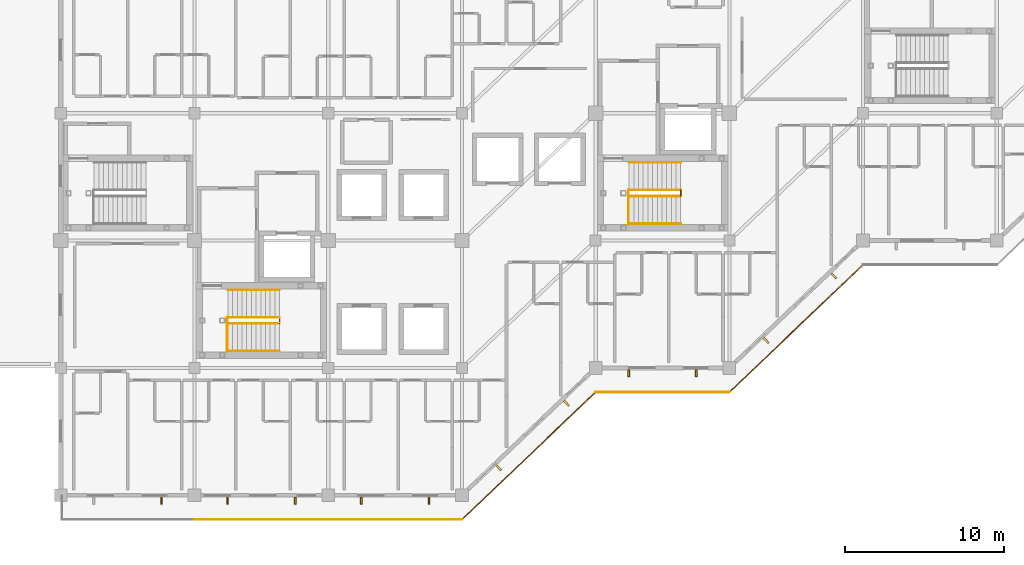
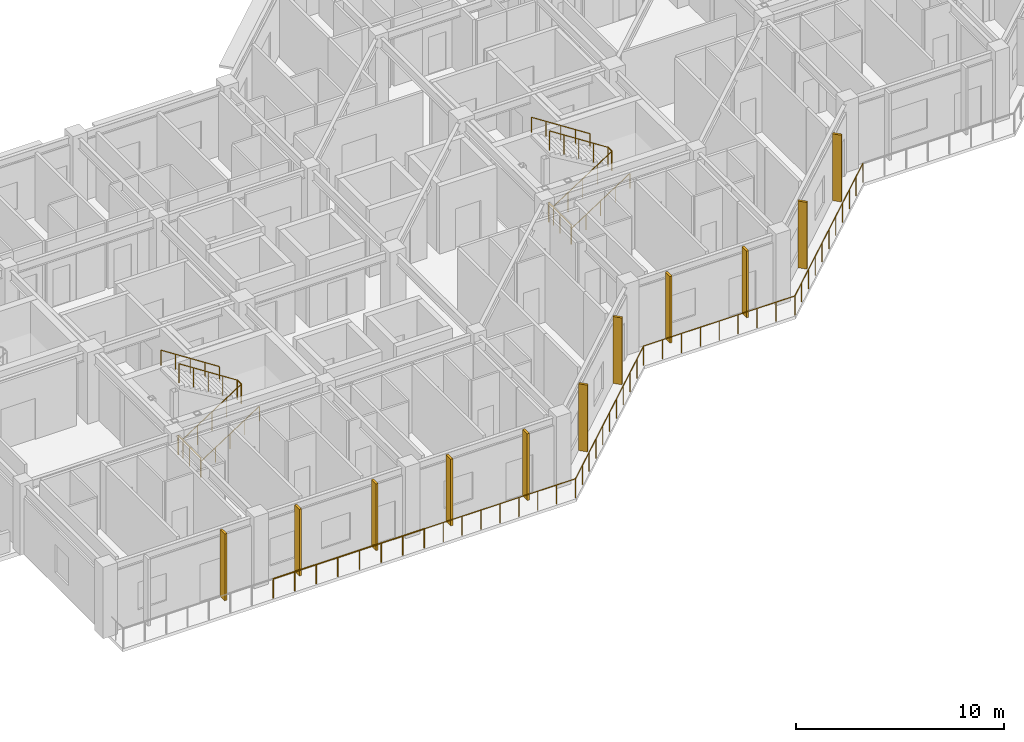
# One storey, part 20 of 22: 17 railings, 11 shading devices.
"""IFC4 building model written with IfcOpenShell, lengths in metres."""

from ifc_helpers import new_model, si_unit, direction, frame, origin, origin_2d, place, context, subcontext, project, spatial, rectangle, circle, extrude, material, layer, layer_set, type_object, element, save


model = new_model("IFC4")

# Units and contexts
model_context = context("Model", 3, precision=1e-05, world=origin(), true_north=direction((0.0, 1.0)))
body_context = subcontext(model_context, "Body", "Model", "MODEL_VIEW")
ifc_project = project(units=[si_unit("LENGTHUNIT", "METRE"), si_unit("AREAUNIT", "SQUARE_METRE"), si_unit("VOLUMEUNIT", "CUBIC_METRE"), si_unit("PLANEANGLEUNIT", "RADIAN"), si_unit("MASSUNIT", "GRAM", prefix="KILO")], contexts=[model_context])

# Site, building, storey
site_placement = place(None, origin())
site = spatial("IfcSite", under=ifc_project, at=site_placement, CompositionType="ELEMENT")
building_placement = place(site_placement, origin())
building = spatial("IfcBuilding", under=site, at=building_placement, Name="Naruveol Harbour Congress Hotel", CompositionType="ELEMENT")
storey_placement = place(building_placement, frame((0.0, 0.0, 21.0)))
storey = spatial("IfcBuildingStorey", under=building, at=storey_placement, Name="L04", CompositionType="ELEMENT", Elevation=21.0)

# Railings
ifc_material_1 = material(Name="Tempered Laminated Safety Glass & Stainless Steel", Category="steel")
ifc_layer_1 = layer(ifc_material_1, 0.06005859375)
ifc_layer_set_1 = layer_set([ifc_layer_1], Name="Tempered Laminated Safety Glass & Stainless Steel")
railing_type_1 = type_object("IfcRailingType", Name="LAMINATED GLASS TERRACE BALUSTRADE 1150", PredefinedType="BALUSTRADE", material=ifc_layer_set_1)
railing_1_placement = place(storey_placement, frame((126.0, -1.52001953125, 0.0)))
element("IfcRailing", 1, at=railing_1_placement, inside=storey, type_object=railing_type_1, Name="L04 Harbour balcony balustrade #70", PredefinedType="BALUSTRADE", context=body_context, shape_type="SweptSolid", body=[
    extrude(circle(Radius=0.02392578125, at=origin_2d()), frame((0.0, 0.0, 1.1259765625), z_axis=(1.0, 0.0, 0.0), x_axis=(0.0, 1.0, 0.0)), (0.0, 0.0, 1.0), 8.39990234375),
    extrude(circle(Radius=0.02099609375, at=origin_2d()), origin(), (0.0, 0.0, 1.0), 1.101806640625),
    extrude(circle(Radius=0.02099609375, at=origin_2d()), frame((1.199951171875, 0.0, 0.0)), (0.0, 0.0, 1.0), 1.101806640625),
    extrude(circle(Radius=0.02099609375, at=origin_2d()), frame((2.39990234375, 0.0, 0.0)), (0.0, 0.0, 1.0), 1.101806640625),
    extrude(circle(Radius=0.02099609375, at=origin_2d()), frame((3.599853515625, 0.0, 0.0)), (0.0, 0.0, 1.0), 1.101806640625),
    extrude(circle(Radius=0.02099609375, at=origin_2d()), frame((4.800048828125, 0.0, 0.0)), (0.0, 0.0, 1.0), 1.101806640625),
    extrude(circle(Radius=0.02099609375, at=origin_2d()), frame((6.0, 0.0, 0.0)), (0.0, 0.0, 1.0), 1.101806640625),
    extrude(circle(Radius=0.02099609375, at=origin_2d()), frame((7.199951171875, 0.0, 0.0)), (0.0, 0.0, 1.0), 1.101806640625),
    extrude(circle(Radius=0.02099609375, at=origin_2d()), frame((8.39990234375, 0.0, 0.0)), (0.0, 0.0, 1.0), 1.101806640625),
])
railing_2_placement = place(storey_placement, frame((134.39990234375, -1.52001953125, 0.0)))
element("IfcRailing", 2, at=railing_2_placement, inside=storey, type_object=railing_type_1, Name="L04 Harbour balcony balustrade #71", PredefinedType="BALUSTRADE", context=body_context, shape_type="SweptSolid", body=[
    extrude(circle(Radius=0.02392578125, at=origin_2d()), frame((0.0, 0.0, 1.1259765625), z_axis=(1.0, 0.0, 0.0), x_axis=(0.0, 1.0, 0.0)), (0.0, 0.0, 1.0), 8.400146484375),
    extrude(circle(Radius=0.02099609375, at=origin_2d()), origin(), (0.0, 0.0, 1.0), 1.101806640625),
    extrude(circle(Radius=0.02099609375, at=origin_2d()), frame((1.050048828125, 0.0, 0.0)), (0.0, 0.0, 1.0), 1.101806640625),
    extrude(circle(Radius=0.02099609375, at=origin_2d()), frame((2.10009765625, 0.0, 0.0)), (0.0, 0.0, 1.0), 1.101806640625),
    extrude(circle(Radius=0.02099609375, at=origin_2d()), frame((3.150146484375, 0.0, 0.0)), (0.0, 0.0, 1.0), 1.101806640625),
    extrude(circle(Radius=0.02099609375, at=origin_2d()), frame((4.2001953125, 0.0, 0.0)), (0.0, 0.0, 1.0), 1.101806640625),
    extrude(circle(Radius=0.02099609375, at=origin_2d()), frame((5.25, 0.0, 0.0)), (0.0, 0.0, 1.0), 1.101806640625),
    extrude(circle(Radius=0.02099609375, at=origin_2d()), frame((6.300048828125, 0.0, 0.0)), (0.0, 0.0, 1.0), 1.101806640625),
    extrude(circle(Radius=0.02099609375, at=origin_2d()), frame((7.35009765625, 0.0, 0.0)), (0.0, 0.0, 1.0), 1.101806640625),
    extrude(circle(Radius=0.02099609375, at=origin_2d()), frame((8.400146484375, 0.0, 0.0)), (0.0, 0.0, 1.0), 1.101806640625),
])
railing_3_placement = place(storey_placement, frame((142.800048828125, -1.52001953125, 0.0)))
element("IfcRailing", 3, at=railing_3_placement, inside=storey, type_object=railing_type_1, Name="L04 Harbour balcony balustrade #72", PredefinedType="BALUSTRADE", context=body_context, shape_type="SweptSolid", body=[
    extrude(circle(Radius=0.02392578125, at=origin_2d()), frame((0.0, 0.0, 1.1259765625), z_axis=(0.724133926887, 0.689659376744, 0.0), x_axis=(-0.689659376744, 0.724133926887, 0.0)), (0.0, 0.0, 1.0), 11.599853515625),
    extrude(circle(Radius=0.02099609375, at=origin_2d()), origin(), (0.0, 0.0, 1.0), 1.101806640625),
    extrude(circle(Radius=0.02099609375, at=origin_2d()), frame((0.840087890625, 0.800048828125, 0.0)), (0.0, 0.0, 1.0), 1.101806640625),
    extrude(circle(Radius=0.02099609375, at=origin_2d()), frame((1.679931640625, 1.60009765625, 0.0)), (0.0, 0.0, 1.0), 1.101806640625),
    extrude(circle(Radius=0.02099609375, at=origin_2d()), frame((2.52001953125, 2.39990234375, 0.0)), (0.0, 0.0, 1.0), 1.101806640625),
    extrude(circle(Radius=0.02099609375, at=origin_2d()), frame((3.35986328125, 3.199951171875, 0.0)), (0.0, 0.0, 1.0), 1.101806640625),
    extrude(circle(Radius=0.02099609375, at=origin_2d()), frame((4.199951171875, 4.0, 0.0)), (0.0, 0.0, 1.0), 1.101806640625),
    extrude(circle(Radius=0.02099609375, at=origin_2d()), frame((5.0400390625, 4.800048828125, 0.0)), (0.0, 0.0, 1.0), 1.101806640625),
    extrude(circle(Radius=0.02099609375, at=origin_2d()), frame((5.8798828125, 5.60009765625, 0.0)), (0.0, 0.0, 1.0), 1.101806640625),
    extrude(circle(Radius=0.02099609375, at=origin_2d()), frame((6.719970703125, 6.39990234375, 0.0)), (0.0, 0.0, 1.0), 1.101806640625),
    extrude(circle(Radius=0.02099609375, at=origin_2d()), frame((7.559814453125, 7.199951171875, 0.0)), (0.0, 0.0, 1.0), 1.101806640625),
    extrude(circle(Radius=0.02099609375, at=origin_2d()), frame((8.39990234375, 8.0, 0.0)), (0.0, 0.0, 1.0), 1.101806640625),
])
railing_4_placement = place(storey_placement, frame((151.199951171875, 6.47998046875, 0.0)))
element("IfcRailing", 4, at=railing_4_placement, inside=storey, type_object=railing_type_1, Name="L04 Harbour balcony balustrade #73", PredefinedType="BALUSTRADE", context=body_context, shape_type="SweptSolid", body=[
    extrude(circle(Radius=0.02392578125, at=origin_2d()), frame((0.0, 0.0, 1.1259765625), z_axis=(1.0, 0.0, 0.0), x_axis=(0.0, 1.0, 0.0)), (0.0, 0.0, 1.0), 8.400146484375),
    extrude(circle(Radius=0.02099609375, at=origin_2d()), origin(), (0.0, 0.0, 1.0), 1.101806640625),
    extrude(circle(Radius=0.02099609375, at=origin_2d()), frame((1.050048828125, 0.0, 0.0)), (0.0, 0.0, 1.0), 1.101806640625),
    extrude(circle(Radius=0.02099609375, at=origin_2d()), frame((2.10009765625, 0.0, 0.0)), (0.0, 0.0, 1.0), 1.101806640625),
    extrude(circle(Radius=0.02099609375, at=origin_2d()), frame((3.150146484375, 0.0, 0.0)), (0.0, 0.0, 1.0), 1.101806640625),
    extrude(circle(Radius=0.02099609375, at=origin_2d()), frame((4.2001953125, 0.0, 0.0)), (0.0, 0.0, 1.0), 1.101806640625),
    extrude(circle(Radius=0.02099609375, at=origin_2d()), frame((5.25, 0.0, 0.0)), (0.0, 0.0, 1.0), 1.101806640625),
    extrude(circle(Radius=0.02099609375, at=origin_2d()), frame((6.300048828125, 0.0, 0.0)), (0.0, 0.0, 1.0), 1.101806640625),
    extrude(circle(Radius=0.02099609375, at=origin_2d()), frame((7.35009765625, 0.0, 0.0)), (0.0, 0.0, 1.0), 1.101806640625),
    extrude(circle(Radius=0.02099609375, at=origin_2d()), frame((8.400146484375, 0.0, 0.0)), (0.0, 0.0, 1.0), 1.101806640625),
])
railing_5_placement = place(storey_placement, frame((159.60009765625, 6.47998046875, 0.0)))
element("IfcRailing", 5, at=railing_5_placement, inside=storey, type_object=railing_type_1, Name="L04 Harbour balcony balustrade #74", PredefinedType="BALUSTRADE", context=body_context, shape_type="SweptSolid", body=[
    extrude(circle(Radius=0.02392578125, at=origin_2d()), frame((0.0, 0.0, 1.1259765625), z_axis=(0.724133926887, 0.689659376744, 0.0), x_axis=(-0.689659376744, 0.724133926887, 0.0)), (0.0, 0.0, 1.0), 11.599853515625),
    extrude(circle(Radius=0.02099609375, at=origin_2d()), origin(), (0.0, 0.0, 1.0), 1.101806640625),
    extrude(circle(Radius=0.02099609375, at=origin_2d()), frame((0.840087890625, 0.800048828125, 0.0)), (0.0, 0.0, 1.0), 1.101806640625),
    extrude(circle(Radius=0.02099609375, at=origin_2d()), frame((1.679931640625, 1.60009765625, 0.0)), (0.0, 0.0, 1.0), 1.101806640625),
    extrude(circle(Radius=0.02099609375, at=origin_2d()), frame((2.52001953125, 2.39990234375, 0.0)), (0.0, 0.0, 1.0), 1.101806640625),
    extrude(circle(Radius=0.02099609375, at=origin_2d()), frame((3.35986328125, 3.199951171875, 0.0)), (0.0, 0.0, 1.0), 1.101806640625),
    extrude(circle(Radius=0.02099609375, at=origin_2d()), frame((4.199951171875, 4.0, 0.0)), (0.0, 0.0, 1.0), 1.101806640625),
    extrude(circle(Radius=0.02099609375, at=origin_2d()), frame((5.0400390625, 4.800048828125, 0.0)), (0.0, 0.0, 1.0), 1.101806640625),
    extrude(circle(Radius=0.02099609375, at=origin_2d()), frame((5.8798828125, 5.60009765625, 0.0)), (0.0, 0.0, 1.0), 1.101806640625),
    extrude(circle(Radius=0.02099609375, at=origin_2d()), frame((6.719970703125, 6.39990234375, 0.0)), (0.0, 0.0, 1.0), 1.101806640625),
    extrude(circle(Radius=0.02099609375, at=origin_2d()), frame((7.559814453125, 7.199951171875, 0.0)), (0.0, 0.0, 1.0), 1.101806640625),
    extrude(circle(Radius=0.02099609375, at=origin_2d()), frame((8.39990234375, 8.0, 0.0)), (0.0, 0.0, 1.0), 1.101806640625),
])

# Shading devices
ifc_material_2 = material(Name="Precast concrete C40/50", Category="concrete")
shading_device_type = type_object("IfcShadingDeviceType", Name="PRECAST VERTICAL BRISE SOLEIL FIN 120X450", PredefinedType="JALOUSIE", material=ifc_material_2)
for number, where, z_axis, x_axis, name in (
    (6, (123.927978515625, -0.340087890625, 0.0), (0.0, 0.0, 1.0), (-1.0, 0.0, 0.0), "Precast brise-soleil fin BS-V450 #1"),
    (7, (132.327880859375, -0.340087890625, 0.0), (0.0, 0.0, 1.0), (-1.0, 0.0, 0.0), "Precast brise-soleil fin BS-V450 #4"),
    (8, (128.072021484375, -0.340087890625, 0.0), (0.0, 0.0, 1.0), (-1.0, 0.0, 0.0), "Precast brise-soleil fin BS-V450 #5"),
    (9, (140.72802734375, -0.340087890625, 0.0), (0.0, 0.0, 1.0), (-1.0, 0.0, 0.0), "Precast brise-soleil fin BS-V450 #7"),
    (10, (136.471923828125, -0.340087890625, 0.0), (0.0, 0.0, 1.0), (-1.0, 0.0, 0.0), "Precast brise-soleil fin BS-V450 #8"),
    (11, (149.362060546875, 5.780029296875, 0.0), (0.0, 0.0, 1.0), (-0.724171861437, -0.689619543736, 0.0), "Precast brise-soleil fin BS-V450 #10"),
    (12, (145.10693359375, 1.72705078125, 0.0), (0.0, 0.0, 1.0), (-0.724171861437, -0.689619543736, 0.0), "Precast brise-soleil fin BS-V450 #11"),
    (13, (157.528076171875, 7.659912109375, 0.0), (0.0, 0.0, 1.0), (-1.0, 0.0, 0.0), "Precast brise-soleil fin BS-V450 #13"),
    (14, (153.27197265625, 7.659912109375, 0.0), (0.0, 0.0, 1.0), (-1.0, 0.0, 0.0), "Precast brise-soleil fin BS-V450 #14"),
    (15, (166.162109375, 13.780029296875, 0.0), (0.0, 0.0, 1.0), (-0.724171861437, -0.689619543736, 0.0), "Precast brise-soleil fin BS-V450 #16"),
    (16, (161.906982421875, 9.72705078125, 0.0), (0.0, 0.0, 1.0), (-0.724171861437, -0.689619543736, 0.0), "Precast brise-soleil fin BS-V450 #17"),
):
    element("IfcShadingDevice", number, at=place(storey_placement, frame(where, z_axis=z_axis, x_axis=x_axis)), inside=storey, type_object=shading_device_type, Name=name, PredefinedType="JALOUSIE", context=body_context, shape_type="SweptSolid", body=[
        extrude(rectangle(XDim=0.1201171875, YDim=0.449951171875, at=origin_2d()), origin(), (0.0, 0.0, 1.0), 3.919921875),
    ])

# Railings
ifc_material_3 = material(Name="Stainless Steel 304", Category="steel")
ifc_layer_2 = layer(ifc_material_3, 0.0419921875)
ifc_layer_set_2 = layer_set([ifc_layer_2], Name="Stainless Steel 304")
railing_type_2 = type_object("IfcRailingType", Name="STAIR WALL MOUNTED HANDRAIL 900", PredefinedType="HANDRAIL", material=ifc_layer_set_2)
railing_6_placement = place(storey_placement, frame((128.10009765625, 9.06005859375, 0.0)))
element("IfcRailing", 17, at=railing_6_placement, inside=storey, type_object=railing_type_2, Name="Stair ST1 L04 lower wall handrail", PredefinedType="HANDRAIL", context=body_context, shape_type="SweptSolid", body=[
    extrude(circle(Radius=0.02392578125, at=origin_2d()), frame((0.0, 0.0, 0.8759765625), z_axis=(0.839514229355, 0.0, 0.543337702273), x_axis=(0.0, 1.0, 0.0)), (0.0, 0.0, 1.0), 3.865234375),
    extrude(circle(Radius=0.02099609375, at=origin_2d()), origin(), (0.0, 0.0, 1.0), 0.851806640625),
    extrude(circle(Radius=0.02099609375, at=origin_2d()), frame((0.811279296875, 0.0, 0.52490234375)), (0.0, 0.0, 1.0), 0.851806640625),
    extrude(circle(Radius=0.02099609375, at=origin_2d()), frame((1.62255859375, 0.0, 1.050048828125)), (0.0, 0.0, 1.0), 0.851806640625),
    extrude(circle(Radius=0.02099609375, at=origin_2d()), frame((2.43359375, 0.0, 1.5751953125)), (0.0, 0.0, 1.0), 0.851806640625),
    extrude(circle(Radius=0.02099609375, at=origin_2d()), frame((3.244873046875, 0.0, 2.10009765625)), (0.0, 0.0, 1.0), 0.851806640625),
])
railing_7_placement = place(storey_placement, frame((131.344970703125, 12.89990234375, 2.10009765625)))
element("IfcRailing", 18, at=railing_7_placement, inside=storey, type_object=railing_type_2, Name="Stair ST1 L04 upper wall handrail", PredefinedType="HANDRAIL", context=body_context, shape_type="SweptSolid", body=[
    extrude(circle(Radius=0.02392578125, at=origin_2d()), frame((0.0, 0.0, 0.8759765625), z_axis=(-0.839543040825, 0.0, 0.543293182916), x_axis=(0.0, -1.0, 0.0)), (0.0, 0.0, 1.0), 3.864990234375),
    extrude(circle(Radius=0.02099609375, at=origin_2d()), origin(), (0.0, 0.0, 1.0), 0.851806640625),
    extrude(circle(Radius=0.02099609375, at=origin_2d()), frame((-0.811279296875, 0.0, 0.52490234375)), (0.0, 0.0, 1.0), 0.851806640625),
    extrude(circle(Radius=0.02099609375, at=origin_2d()), frame((-1.62255859375, 0.0, 1.0498046875)), (0.0, 0.0, 1.0), 0.851806640625),
    extrude(circle(Radius=0.02099609375, at=origin_2d()), frame((-2.43359375, 0.0, 1.574951171875)), (0.0, 0.0, 1.0), 0.851806640625),
    extrude(circle(Radius=0.02099609375, at=origin_2d()), frame((-3.244873046875, 0.0, 2.099853515625)), (0.0, 0.0, 1.0), 0.851806640625),
])
railing_8_placement = place(storey_placement, frame((153.300048828125, 17.06005859375, 0.0)))
element("IfcRailing", 19, at=railing_8_placement, inside=storey, type_object=railing_type_2, Name="Stair ST2 L04 lower wall handrail", PredefinedType="HANDRAIL", context=body_context, shape_type="SweptSolid", body=[
    extrude(circle(Radius=0.02392578125, at=origin_2d()), frame((0.0, 0.0, 0.8759765625), z_axis=(0.839514229355, 0.0, 0.543337702273), x_axis=(0.0, 1.0, 0.0)), (0.0, 0.0, 1.0), 3.865234375),
    extrude(circle(Radius=0.02099609375, at=origin_2d()), origin(), (0.0, 0.0, 1.0), 0.851806640625),
    extrude(circle(Radius=0.02099609375, at=origin_2d()), frame((0.811279296875, 0.0, 0.52490234375)), (0.0, 0.0, 1.0), 0.851806640625),
    extrude(circle(Radius=0.02099609375, at=origin_2d()), frame((1.62255859375, 0.0, 1.050048828125)), (0.0, 0.0, 1.0), 0.851806640625),
    extrude(circle(Radius=0.02099609375, at=origin_2d()), frame((2.43359375, 0.0, 1.5751953125)), (0.0, 0.0, 1.0), 0.851806640625),
    extrude(circle(Radius=0.02099609375, at=origin_2d()), frame((3.244873046875, 0.0, 2.10009765625)), (0.0, 0.0, 1.0), 0.851806640625),
])
railing_9_placement = place(storey_placement, frame((156.544921875, 20.89990234375, 2.10009765625)))
element("IfcRailing", 20, at=railing_9_placement, inside=storey, type_object=railing_type_2, Name="Stair ST2 L04 upper wall handrail", PredefinedType="HANDRAIL", context=body_context, shape_type="SweptSolid", body=[
    extrude(circle(Radius=0.02392578125, at=origin_2d()), frame((0.0, 0.0, 0.8759765625), z_axis=(-0.839543040825, 0.0, 0.543293182916), x_axis=(0.0, -1.0, 0.0)), (0.0, 0.0, 1.0), 3.864990234375),
    extrude(circle(Radius=0.02099609375, at=origin_2d()), origin(), (0.0, 0.0, 1.0), 0.851806640625),
    extrude(circle(Radius=0.02099609375, at=origin_2d()), frame((-0.811279296875, 0.0, 0.52490234375)), (0.0, 0.0, 1.0), 0.851806640625),
    extrude(circle(Radius=0.02099609375, at=origin_2d()), frame((-1.62255859375, 0.0, 1.0498046875)), (0.0, 0.0, 1.0), 0.851806640625),
    extrude(circle(Radius=0.02099609375, at=origin_2d()), frame((-2.43359375, 0.0, 1.574951171875)), (0.0, 0.0, 1.0), 0.851806640625),
    extrude(circle(Radius=0.02099609375, at=origin_2d()), frame((-3.244873046875, 0.0, 2.099853515625)), (0.0, 0.0, 1.0), 0.851806640625),
])
ifc_material_4 = material(Name="Steel SN490", Category="steel")
ifc_layer_3 = layer(ifc_material_4, 0.044921875)
ifc_layer_set_3 = layer_set([ifc_layer_3], Name="Steel SN490")
railing_type_3 = type_object("IfcRailingType", Name="STAIRWELL STEEL GUARDRAIL 1150", PredefinedType="GUARDRAIL", material=ifc_layer_set_3)
railing_10_placement = place(storey_placement, frame((128.10009765625, 10.7900390625, 0.0)))
element("IfcRailing", 21, at=railing_10_placement, inside=storey, type_object=railing_type_3, Name="Stair ST1 L04 lower well guard", PredefinedType="GUARDRAIL", context=body_context, shape_type="SweptSolid", body=[
    extrude(circle(Radius=0.02392578125, at=origin_2d()), frame((0.0, 0.0, 1.1259765625), z_axis=(0.839514229355, 0.0, 0.543337702273), x_axis=(0.0, 1.0, 0.0)), (0.0, 0.0, 1.0), 3.865234375),
    extrude(circle(Radius=0.02099609375, at=origin_2d()), origin(), (0.0, 0.0, 1.0), 1.101806640625),
    extrude(circle(Radius=0.02099609375, at=origin_2d()), frame((0.811279296875, 0.0, 0.52490234375)), (0.0, 0.0, 1.0), 1.101806640625),
    extrude(circle(Radius=0.02099609375, at=origin_2d()), frame((1.62255859375, 0.0, 1.050048828125)), (0.0, 0.0, 1.0), 1.101806640625),
    extrude(circle(Radius=0.02099609375, at=origin_2d()), frame((2.43359375, 0.0, 1.5751953125)), (0.0, 0.0, 1.0), 1.101806640625),
    extrude(circle(Radius=0.02099609375, at=origin_2d()), frame((3.244873046875, 0.0, 2.10009765625)), (0.0, 0.0, 1.0), 1.101806640625),
])
railing_11_placement = place(storey_placement, frame((131.344970703125, 10.7900390625, 2.10009765625)))
element("IfcRailing", 22, at=railing_11_placement, inside=storey, type_object=railing_type_3, Name="Stair ST1 L04 half-landing slot guard", PredefinedType="GUARDRAIL", context=body_context, shape_type="SweptSolid", body=[
    extrude(circle(Radius=0.02392578125, at=origin_2d()), frame((0.0, 0.0, 1.1259765625), z_axis=(0.0, 1.0, 0.0), x_axis=(-1.0, 0.0, 0.0)), (0.0, 0.0, 1.0), 0.3798828125),
    extrude(circle(Radius=0.02099609375, at=origin_2d()), origin(), (0.0, 0.0, 1.0), 1.101806640625),
    extrude(circle(Radius=0.02099609375, at=origin_2d()), frame((0.0, 0.3798828125, 0.0)), (0.0, 0.0, 1.0), 1.101806640625),
])
railing_12_placement = place(storey_placement, frame((131.344970703125, 11.169921875, 2.10009765625)))
element("IfcRailing", 23, at=railing_12_placement, inside=storey, type_object=railing_type_3, Name="Stair ST1 L04 upper well guard", PredefinedType="GUARDRAIL", context=body_context, shape_type="SweptSolid", body=[
    extrude(circle(Radius=0.02392578125, at=origin_2d()), frame((0.0, 0.0, 1.1259765625), z_axis=(-0.839543040825, 0.0, 0.543293182916), x_axis=(0.0, -1.0, 0.0)), (0.0, 0.0, 1.0), 3.864990234375),
    extrude(circle(Radius=0.02099609375, at=origin_2d()), origin(), (0.0, 0.0, 1.0), 1.101806640625),
    extrude(circle(Radius=0.02099609375, at=origin_2d()), frame((-0.811279296875, 0.0, 0.52490234375)), (0.0, 0.0, 1.0), 1.101806640625),
    extrude(circle(Radius=0.02099609375, at=origin_2d()), frame((-1.62255859375, 0.0, 1.0498046875)), (0.0, 0.0, 1.0), 1.101806640625),
    extrude(circle(Radius=0.02099609375, at=origin_2d()), frame((-2.43359375, 0.0, 1.574951171875)), (0.0, 0.0, 1.0), 1.101806640625),
    extrude(circle(Radius=0.02099609375, at=origin_2d()), frame((-3.244873046875, 0.0, 2.099853515625)), (0.0, 0.0, 1.0), 1.101806640625),
])
railing_13_placement = place(storey_placement, frame((128.06005859375, 9.02001953125, 0.0)))
element("IfcRailing", 24, at=railing_13_placement, inside=storey, type_object=railing_type_3, Name="Stair ST1 L04 landing well guard", PredefinedType="GUARDRAIL", context=body_context, shape_type="SweptSolid", body=[
    extrude(circle(Radius=0.02392578125, at=origin_2d()), frame((0.0, 0.0, 1.1259765625), z_axis=(0.0, 1.0, 0.0), x_axis=(-1.0, 0.0, 0.0)), (0.0, 0.0, 1.0), 2.14990234375),
    extrude(circle(Radius=0.02099609375, at=origin_2d()), origin(), (0.0, 0.0, 1.0), 1.101806640625),
    extrude(circle(Radius=0.02099609375, at=origin_2d()), frame((0.0, 1.074951171875, 0.0)), (0.0, 0.0, 1.0), 1.101806640625),
    extrude(circle(Radius=0.02099609375, at=origin_2d()), frame((0.0, 2.14990234375, 0.0)), (0.0, 0.0, 1.0), 1.101806640625),
])
railing_14_placement = place(storey_placement, frame((153.300048828125, 18.7900390625, 0.0)))
element("IfcRailing", 25, at=railing_14_placement, inside=storey, type_object=railing_type_3, Name="Stair ST2 L04 lower well guard", PredefinedType="GUARDRAIL", context=body_context, shape_type="SweptSolid", body=[
    extrude(circle(Radius=0.02392578125, at=origin_2d()), frame((0.0, 0.0, 1.1259765625), z_axis=(0.839514229355, 0.0, 0.543337702273), x_axis=(0.0, 1.0, 0.0)), (0.0, 0.0, 1.0), 3.865234375),
    extrude(circle(Radius=0.02099609375, at=origin_2d()), origin(), (0.0, 0.0, 1.0), 1.101806640625),
    extrude(circle(Radius=0.02099609375, at=origin_2d()), frame((0.811279296875, 0.0, 0.52490234375)), (0.0, 0.0, 1.0), 1.101806640625),
    extrude(circle(Radius=0.02099609375, at=origin_2d()), frame((1.62255859375, 0.0, 1.050048828125)), (0.0, 0.0, 1.0), 1.101806640625),
    extrude(circle(Radius=0.02099609375, at=origin_2d()), frame((2.43359375, 0.0, 1.5751953125)), (0.0, 0.0, 1.0), 1.101806640625),
    extrude(circle(Radius=0.02099609375, at=origin_2d()), frame((3.244873046875, 0.0, 2.10009765625)), (0.0, 0.0, 1.0), 1.101806640625),
])
railing_15_placement = place(storey_placement, frame((156.544921875, 18.7900390625, 2.10009765625)))
element("IfcRailing", 26, at=railing_15_placement, inside=storey, type_object=railing_type_3, Name="Stair ST2 L04 half-landing slot guard", PredefinedType="GUARDRAIL", context=body_context, shape_type="SweptSolid", body=[
    extrude(circle(Radius=0.02392578125, at=origin_2d()), frame((0.0, 0.0, 1.1259765625), z_axis=(0.0, 1.0, 0.0), x_axis=(-1.0, 0.0, 0.0)), (0.0, 0.0, 1.0), 0.3798828125),
    extrude(circle(Radius=0.02099609375, at=origin_2d()), origin(), (0.0, 0.0, 1.0), 1.101806640625),
    extrude(circle(Radius=0.02099609375, at=origin_2d()), frame((0.0, 0.3798828125, 0.0)), (0.0, 0.0, 1.0), 1.101806640625),
])
railing_16_placement = place(storey_placement, frame((156.544921875, 19.169921875, 2.10009765625)))
element("IfcRailing", 27, at=railing_16_placement, inside=storey, type_object=railing_type_3, Name="Stair ST2 L04 upper well guard", PredefinedType="GUARDRAIL", context=body_context, shape_type="SweptSolid", body=[
    extrude(circle(Radius=0.02392578125, at=origin_2d()), frame((0.0, 0.0, 1.1259765625), z_axis=(-0.839543040825, 0.0, 0.543293182916), x_axis=(0.0, -1.0, 0.0)), (0.0, 0.0, 1.0), 3.864990234375),
    extrude(circle(Radius=0.02099609375, at=origin_2d()), origin(), (0.0, 0.0, 1.0), 1.101806640625),
    extrude(circle(Radius=0.02099609375, at=origin_2d()), frame((-0.811279296875, 0.0, 0.52490234375)), (0.0, 0.0, 1.0), 1.101806640625),
    extrude(circle(Radius=0.02099609375, at=origin_2d()), frame((-1.62255859375, 0.0, 1.0498046875)), (0.0, 0.0, 1.0), 1.101806640625),
    extrude(circle(Radius=0.02099609375, at=origin_2d()), frame((-2.43359375, 0.0, 1.574951171875)), (0.0, 0.0, 1.0), 1.101806640625),
    extrude(circle(Radius=0.02099609375, at=origin_2d()), frame((-3.244873046875, 0.0, 2.099853515625)), (0.0, 0.0, 1.0), 1.101806640625),
])
railing_17_placement = place(storey_placement, frame((153.260009765625, 17.02001953125, 0.0)))
element("IfcRailing", 28, at=railing_17_placement, inside=storey, type_object=railing_type_3, Name="Stair ST2 L04 landing well guard", PredefinedType="GUARDRAIL", context=body_context, shape_type="SweptSolid", body=[
    extrude(circle(Radius=0.02392578125, at=origin_2d()), frame((0.0, 0.0, 1.1259765625), z_axis=(0.0, 1.0, 0.0), x_axis=(-1.0, 0.0, 0.0)), (0.0, 0.0, 1.0), 2.14990234375),
    extrude(circle(Radius=0.02099609375, at=origin_2d()), origin(), (0.0, 0.0, 1.0), 1.101806640625),
    extrude(circle(Radius=0.02099609375, at=origin_2d()), frame((0.0, 1.074951171875, 0.0)), (0.0, 0.0, 1.0), 1.101806640625),
    extrude(circle(Radius=0.02099609375, at=origin_2d()), frame((0.0, 2.14990234375, 0.0)), (0.0, 0.0, 1.0), 1.101806640625),
])

save(model, "model.ifc")
